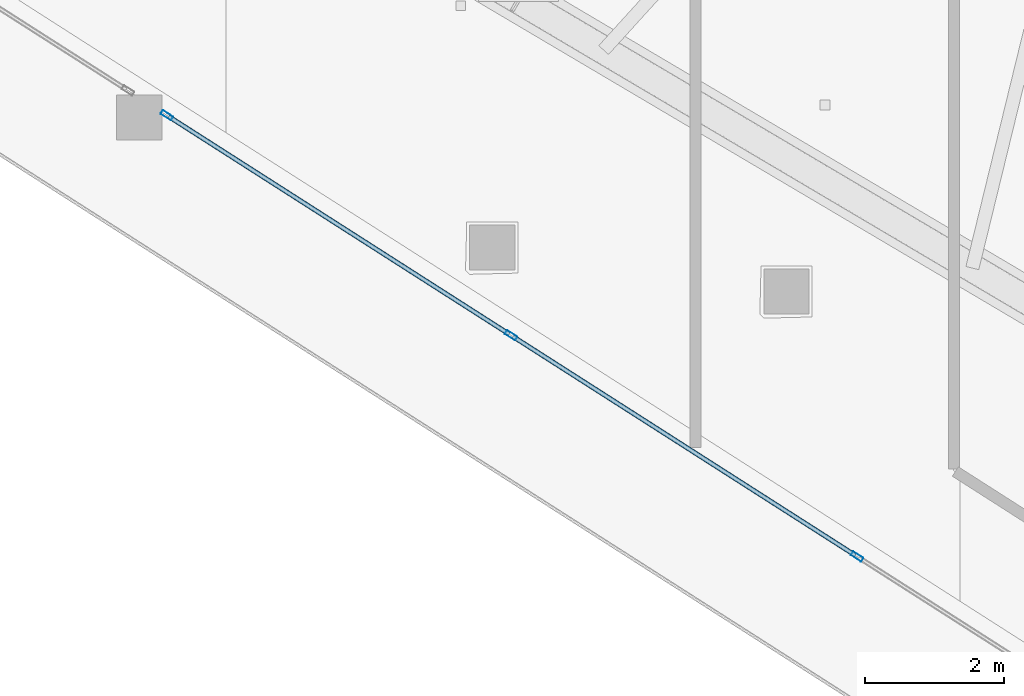
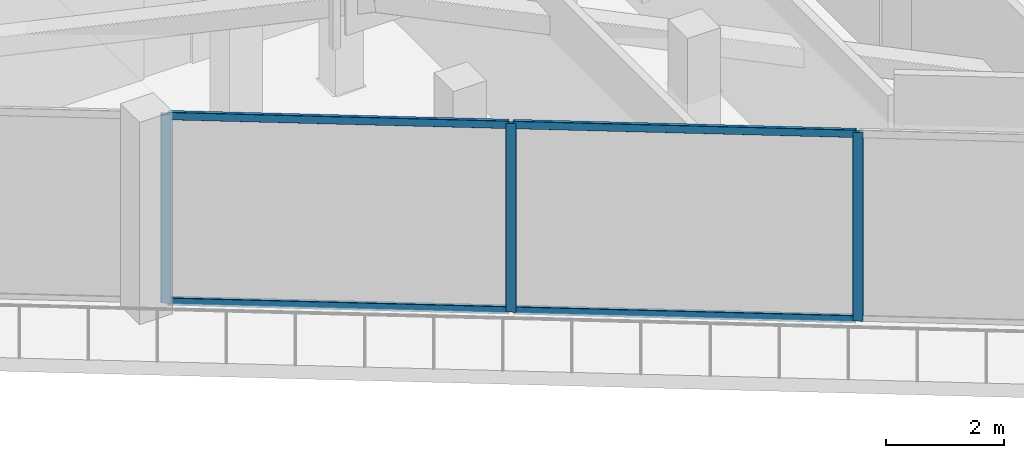
# One storey, part 2 of 52: 7 members, 1 element without a shape of its own.
"""IFC4 building model written with IfcOpenShell, lengths in metres."""

from ifc_helpers import new_model, si_unit, direction, frame, origin, origin_2d, place, context, subcontext, project, spatial, hollow_rectangle, extrude, material, layer, layer_set, material_profile, profile_set, type_object, element, aggregate, save


model = new_model("IFC4")

# Units and contexts
model_context = context("Model", 3, precision=1e-05, world=origin(), true_north=direction((0.0, 1.0)))
body_context = subcontext(model_context, "Body", "Model", "MODEL_VIEW")
ifc_project = project(units=[si_unit("LENGTHUNIT", "METRE"), si_unit("AREAUNIT", "SQUARE_METRE"), si_unit("VOLUMEUNIT", "CUBIC_METRE"), si_unit("PLANEANGLEUNIT", "RADIAN"), si_unit("MASSUNIT", "GRAM", prefix="KILO")], contexts=[model_context])

# Site, building, storey
site_placement = place(None, origin())
site = spatial("IfcSite", under=ifc_project, at=site_placement, CompositionType="ELEMENT")
building_placement = place(site_placement, origin())
building = spatial("IfcBuilding", under=site, at=building_placement, Name="Qorvath Tower", CompositionType="ELEMENT")
storey_placement = place(building_placement, frame((0.0, 0.0, 61.800048828125)))
storey = spatial("IfcBuildingStorey", under=building, at=storey_placement, Name="L13", CompositionType="ELEMENT", Elevation=61.800048828125)

# Curtain wall, members
ifc_material_1 = material(Name="Anodised aluminium and triple low-E glass", Category="aluminium")
ifc_layer = layer(ifc_material_1, 0.179931640625)
ifc_layer_set = layer_set([ifc_layer], Name="CW-SYS-2")
curtain_wall_type = type_object("IfcCurtainWallType", Name="CW-SYS-2", PredefinedType="NOTDEFINED", material=ifc_layer_set)
curtain_wall_placement = place(storey_placement, origin())
curtain_wall = element("IfcCurtainWall", 1, at=curtain_wall_placement, inside=storey, type_object=curtain_wall_type, Name="Curtain Wall CW-2 CW-T-L13-2.2", PredefinedType="NOTDEFINED")
ifc_material_2 = material(Name="Anodised aluminium 6063-T6", Category="aluminium")
ifc_material_profile_1 = material_profile(ifc_material_2, hollow_rectangle(XDim=0.06494140625, YDim=0.179931640625, WallThickness=0.00341796875, InnerFilletRadius=0.00341796875, OuterFilletRadius=0.007080078125, at=origin_2d()), Name="CWM 180x65")
ifc_profile_set_1 = profile_set([ifc_material_profile_1], Name="Anodised aluminium 6063-T6")
member_type_1 = type_object("IfcMemberType", Name="CWM-180", PredefinedType="MULLION", material=ifc_profile_set_1)
member_1_placement = place(storey_placement, frame((-39.93505859375, -16.92626953125, 0.0), z_axis=(0.0, 0.0, 1.0), x_axis=(0.538536297709, 0.842602311918, 0.0)))
member_1 = element("IfcMember", 2, at=member_1_placement, type_object=member_type_1, Name="CW-2 mullion 1", PredefinedType="MULLION", context=body_context, shape_type="SweptSolid", body=[
    extrude(hollow_rectangle(XDim=0.06494140625, YDim=0.179931640625, WallThickness=0.00341796875, InnerFilletRadius=0.00341796875, OuterFilletRadius=0.007080078125, at=origin_2d()), origin(), (0.0, 0.0, 1.0), 3.919921875),
])
member_2_placement = place(storey_placement, frame((-34.9814453125, -20.092041015625, 0.0), z_axis=(0.0, 0.0, 1.0), x_axis=(0.538536297709, 0.842602311918, 0.0)))
member_2 = element("IfcMember", 3, at=member_2_placement, type_object=member_type_1, Name="CW-2 mullion 2", PredefinedType="MULLION", context=body_context, shape_type="SweptSolid", body=[
    extrude(hollow_rectangle(XDim=0.06494140625, YDim=0.179931640625, WallThickness=0.00341796875, InnerFilletRadius=0.00341796875, OuterFilletRadius=0.007080078125, at=origin_2d()), origin(), (0.0, 0.0, 1.0), 3.919921875),
])
member_3_placement = place(storey_placement, frame((-30.000732421875, -23.275634765625, 0.0), z_axis=(0.0, 0.0, 1.0), x_axis=(0.538536297709, 0.842602311918, 0.0)))
member_3 = element("IfcMember", 4, at=member_3_placement, type_object=member_type_1, Name="CW-2 mullion 3", PredefinedType="MULLION", context=body_context, shape_type="SweptSolid", body=[
    extrude(hollow_rectangle(XDim=0.06494140625, YDim=0.179931640625, WallThickness=0.00341796875, InnerFilletRadius=0.00341796875, OuterFilletRadius=0.007080078125, at=origin_2d()), origin(), (0.0, 0.0, 1.0), 3.919921875),
])
ifc_material_3 = material(Name="Anodised aluminium 6063-T6", Category="aluminium")
ifc_material_profile_2 = material_profile(ifc_material_3, hollow_rectangle(XDim=0.06494140625, YDim=0.159912109375, WallThickness=0.00341796875, InnerFilletRadius=0.00341796875, OuterFilletRadius=0.007080078125, at=origin_2d()), Name="CWT 160x65")
ifc_profile_set_2 = profile_set([ifc_material_profile_2], Name="Anodised aluminium 6063-T6")
member_type_2 = type_object("IfcMemberType", Name="CWT-160", PredefinedType="USERDEFINED", material=ifc_profile_set_2)
member_4_placement = place(storey_placement, frame((-39.90771484375, -16.943603515625, 0.032470703125), z_axis=(0.842587751429, -0.538559078599, 0.0), x_axis=(0.538559078599, 0.842587751429, 0.0)))
member_4 = element("IfcMember", 5, at=member_4_placement, type_object=member_type_2, Name="CW-2 transom 1.1", ObjectType="TRANSOM", PredefinedType="USERDEFINED", context=body_context, shape_type="SweptSolid", body=[
    extrude(hollow_rectangle(XDim=0.06494140625, YDim=0.159912109375, WallThickness=0.00341796875, InnerFilletRadius=0.00341796875, OuterFilletRadius=0.007080078125, at=origin_2d()), origin(), (0.0, 0.0, 1.0), 5.81396484375),
])
member_5_placement = place(storey_placement, frame((-39.90771484375, -16.943603515625, 3.887451171875), z_axis=(0.842587751429, -0.538559078599, 0.0), x_axis=(0.538559078599, 0.842587751429, 0.0)))
member_5 = element("IfcMember", 6, at=member_5_placement, type_object=member_type_2, Name="CW-2 transom 1.2", ObjectType="TRANSOM", PredefinedType="USERDEFINED", context=body_context, shape_type="SweptSolid", body=[
    extrude(hollow_rectangle(XDim=0.06494140625, YDim=0.159912109375, WallThickness=0.00341796875, InnerFilletRadius=0.00341796875, OuterFilletRadius=0.007080078125, at=origin_2d()), origin(), (0.0, 0.0, 1.0), 5.81396484375),
])
member_6_placement = place(storey_placement, frame((-34.9541015625, -20.109619140625, 0.032470703125), z_axis=(0.842598881455, -0.538541665027, 0.0), x_axis=(0.538541665027, 0.842598881455, 0.0)))
member_6 = element("IfcMember", 7, at=member_6_placement, type_object=member_type_2, Name="CW-2 transom 2.1", ObjectType="TRANSOM", PredefinedType="USERDEFINED", context=body_context, shape_type="SweptSolid", body=[
    extrude(hollow_rectangle(XDim=0.06494140625, YDim=0.159912109375, WallThickness=0.00341796875, InnerFilletRadius=0.00341796875, OuterFilletRadius=0.007080078125, at=origin_2d()), origin(), (0.0, 0.0, 1.0), 5.84619140625),
])
member_7_placement = place(storey_placement, frame((-34.9541015625, -20.109619140625, 3.887451171875), z_axis=(0.842598881455, -0.538541665027, 0.0), x_axis=(0.538541665027, 0.842598881455, 0.0)))
member_7 = element("IfcMember", 8, at=member_7_placement, type_object=member_type_2, Name="CW-2 transom 2.2", ObjectType="TRANSOM", PredefinedType="USERDEFINED", context=body_context, shape_type="SweptSolid", body=[
    extrude(hollow_rectangle(XDim=0.06494140625, YDim=0.159912109375, WallThickness=0.00341796875, InnerFilletRadius=0.00341796875, OuterFilletRadius=0.007080078125, at=origin_2d()), origin(), (0.0, 0.0, 1.0), 5.84619140625),
])
aggregate(curtain_wall, [member_1, member_2, member_3, member_4, member_5, member_6, member_7])

save(model, "model.ifc")
